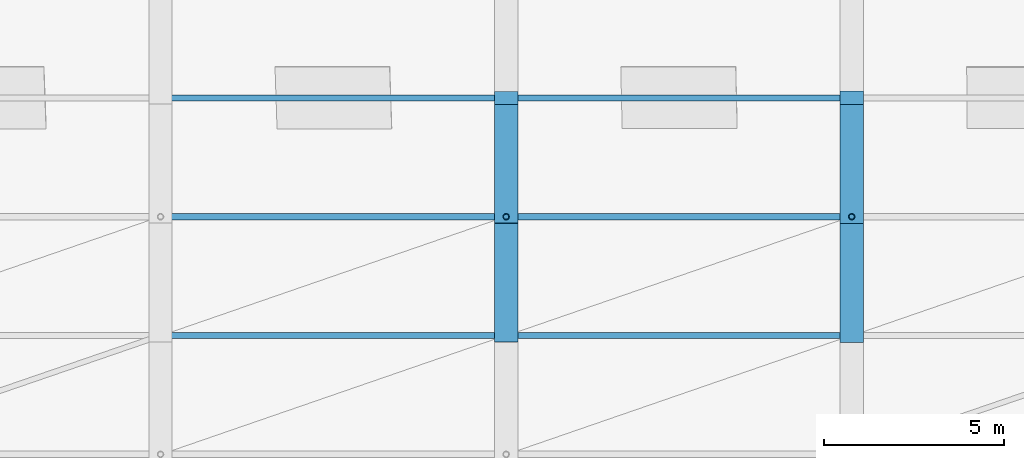
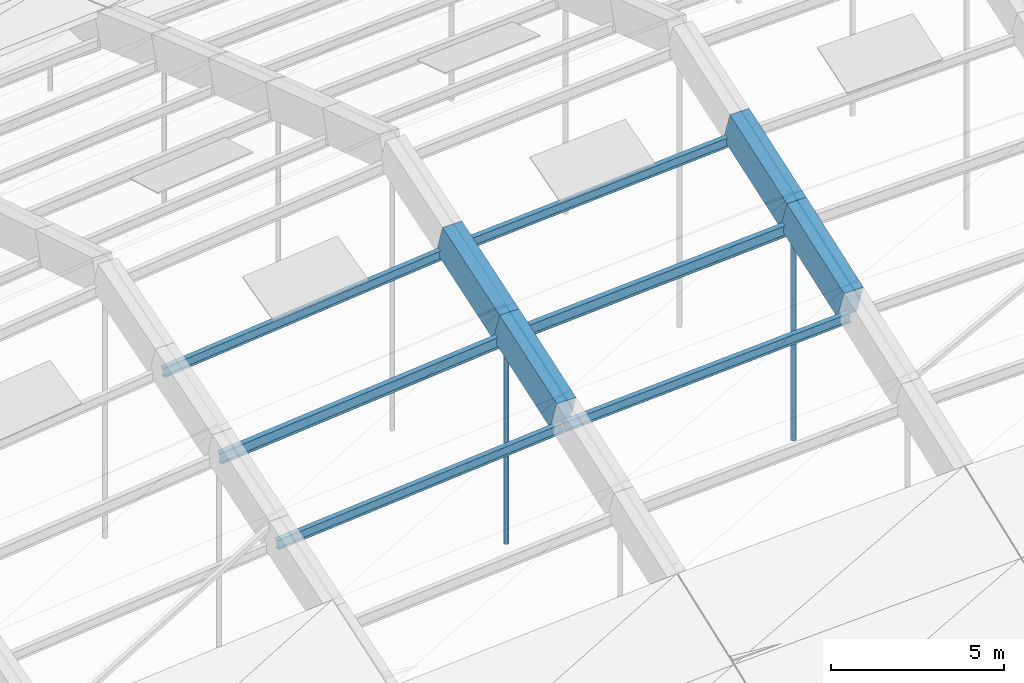
# One storey, part 7 of 43: 8 members, 4 beams.
"""IFC4 building model written with IfcOpenShell, lengths in metres."""

from ifc_helpers import new_model, si_unit, direction, frame, origin, origin_2d, place, context, subcontext, project, spatial, rectangle, hollow_circle, i_section, extrude, material, material_profile, profile_set, type_object, element, save


model = new_model("IFC4")

# Units and contexts
model_context = context("Model", 3, precision=1e-05, world=origin(), true_north=direction((0.0, 1.0)))
body_context = subcontext(model_context, "Body", "Model", "MODEL_VIEW")
ifc_project = project(units=[si_unit("LENGTHUNIT", "METRE"), si_unit("AREAUNIT", "SQUARE_METRE"), si_unit("VOLUMEUNIT", "CUBIC_METRE"), si_unit("PLANEANGLEUNIT", "RADIAN"), si_unit("MASSUNIT", "GRAM", prefix="KILO")], contexts=[model_context])

# Site, building, storey
site_placement = place(None, origin())
site = spatial("IfcSite", under=ifc_project, at=site_placement, CompositionType="ELEMENT")
building_placement = place(site_placement, origin())
building = spatial("IfcBuilding", under=site, at=building_placement, Name="Chalmorin Arch Market", CompositionType="ELEMENT")
storey_placement = place(building_placement, frame((0.0, 0.0, 18.60009765625)))
storey = spatial("IfcBuildingStorey", under=building, at=storey_placement, Name="RF", CompositionType="ELEMENT", Elevation=18.60009765625)

# Members
ifc_material_1 = material(Name="Steel A500 Grade C", Category="steel")
ifc_material_profile_1 = material_profile(ifc_material_1, hollow_circle(Radius=0.084228515625, WallThickness=0.007080078125, at=origin_2d()), Name="CHS168X7")
ifc_profile_set_1 = profile_set([ifc_material_profile_1], Name="Steel A500 Grade C")
member_type_1 = type_object("IfcMemberType", Name="ArchHangerTie-CHS168", PredefinedType="CHORD", material=ifc_profile_set_1)
member_1_placement = place(storey_placement, frame((67.199951171875, 25.800048828125, -2.845458984375), z_axis=(0.0, 0.0, 1.0), x_axis=(1.0, 0.0, 0.0)))
element("IfcMember", 1, at=member_1_placement, inside=storey, type_object=member_type_1, Name="HT-CH168-0144", PredefinedType="CHORD", context=body_context, shape_type="SweptSolid", body=[
    extrude(hollow_circle(Radius=0.084228515625, WallThickness=0.007080078125, at=origin_2d()), origin(), (0.0, 0.0, 1.0), 7.72802734375),
])
member_2_placement = place(storey_placement, frame((76.800048828125, 25.800048828125, -2.552978515625), z_axis=(0.0, 0.0, 1.0), x_axis=(1.0, 0.0, 0.0)))
element("IfcMember", 2, at=member_2_placement, inside=storey, type_object=member_type_1, Name="HT-CH168-0151", PredefinedType="CHORD", context=body_context, shape_type="SweptSolid", body=[
    extrude(hollow_circle(Radius=0.084228515625, WallThickness=0.007080078125, at=origin_2d()), origin(), (0.0, 0.0, 1.0), 8.019775390625),
])

# Beams
ifc_material_2 = material(Name="Concrete C50/60", Category="concrete")
ifc_material_profile_2 = material_profile(ifc_material_2, rectangle(XDim=0.64990234375, YDim=1.14990234375, at=origin_2d()), Name="RC650X1150")
ifc_profile_set_2 = profile_set([ifc_material_profile_2], Name="Concrete C50/60")
beam_type = type_object("IfcBeamType", Name="ArchRibChord-650x1150", PredefinedType="BEAM", material=ifc_profile_set_2)
beam_1_placement = place(storey_placement, frame((67.199951171875, 22.5, 3.75927734375), z_axis=(0.0, 0.946661270145, 0.322230413845), x_axis=(-1.0, 0.0, 0.0)))
element("IfcBeam", 3, at=beam_1_placement, inside=storey, type_object=beam_type, Name="AR-01-1628", PredefinedType="BEAM", context=body_context, shape_type="SweptSolid", body=[
    extrude(rectangle(XDim=0.64990234375, YDim=1.14990234375, at=origin_2d()), origin(), (0.0, 0.0, 1.0), 3.486083984375),
])
beam_2_placement = place(storey_placement, frame((67.199951171875, 25.800048828125, 4.882568359375), z_axis=(0.0, 0.949180689868, 0.314731660279), x_axis=(-1.0, 0.0, 0.0)))
element("IfcBeam", 4, at=beam_2_placement, inside=storey, type_object=beam_type, Name="AR-01-1629", PredefinedType="BEAM", context=body_context, shape_type="SweptSolid", body=[
    extrude(rectangle(XDim=0.64990234375, YDim=1.14990234375, at=origin_2d()), origin(), (0.0, 0.0, 1.0), 3.476806640625),
])
beam_3_placement = place(storey_placement, frame((76.800048828125, 22.5, 4.2978515625), z_axis=(0.0, 0.942611222356, 0.333892323196), x_axis=(-1.0, 0.0, 0.0)))
element("IfcBeam", 5, at=beam_3_placement, inside=storey, type_object=beam_type, Name="AR-01-1647", PredefinedType="BEAM", context=body_context, shape_type="SweptSolid", body=[
    extrude(rectangle(XDim=0.64990234375, YDim=1.14990234375, at=origin_2d()), origin(), (0.0, 0.0, 1.0), 3.5009765625),
])
beam_4_placement = place(storey_placement, frame((76.800048828125, 25.800048828125, 5.466796875), z_axis=(0.0, 0.945287483445, 0.326238522621), x_axis=(-1.0, 0.0, 0.0)))
element("IfcBeam", 6, at=beam_4_placement, inside=storey, type_object=beam_type, Name="AR-01-1648", PredefinedType="BEAM", context=body_context, shape_type="SweptSolid", body=[
    extrude(rectangle(XDim=0.64990234375, YDim=1.14990234375, at=origin_2d()), origin(), (0.0, 0.0, 1.0), 3.490966796875),
])

# Members
ifc_material_3 = material(Name="Steel A992 Grade 50", Category="steel")
ifc_material_profile_3 = material_profile(ifc_material_3, i_section(OverallWidth=0.1708984375, OverallDepth=0.35107421875, WebThickness=0.0068359375, FlangeThickness=0.009765625, FilletRadius=0.014892578125, at=origin_2d()), Name="W14X30")
ifc_profile_set_3 = profile_set([ifc_material_profile_3], Name="Steel A992 Grade 50")
member_type_2 = type_object("IfcMemberType", Name="RoofSteelPurlin-W14X30", PredefinedType="PURLIN", material=ifc_profile_set_3)
member_3_placement = place(storey_placement, frame((57.6201171875, 22.5, 2.47314453125), z_axis=(0.996463313136, 0.0, 0.084028956763), x_axis=(0.0, 1.0, 0.0)))
element("IfcMember", 7, at=member_3_placement, inside=storey, type_object=member_type_2, Name="PR-W14-0210", PredefinedType="PURLIN", context=body_context, shape_type="SweptSolid", body=[
    extrude(i_section(OverallWidth=0.1708984375, OverallDepth=0.35107421875, WebThickness=0.0068359375, FlangeThickness=0.009765625, FilletRadius=0.014892578125, at=origin_2d()), origin(), (0.0, 0.0, 1.0), 9.59375),
])
member_4_placement = place(storey_placement, frame((57.6201171875, 29.10009765625, 4.555908203125), z_axis=(0.995191239387, 0.0, 0.097950993094), x_axis=(0.0, 1.0, 0.0)))
element("IfcMember", 8, at=member_4_placement, inside=storey, type_object=member_type_2, Name="PR-W14-0212", PredefinedType="PURLIN", context=body_context, shape_type="SweptSolid", body=[
    extrude(i_section(OverallWidth=0.1708984375, OverallDepth=0.35107421875, WebThickness=0.0068359375, FlangeThickness=0.009765625, FilletRadius=0.014892578125, at=origin_2d()), origin(), (0.0, 0.0, 1.0), 9.60595703125),
])
member_5_placement = place(storey_placement, frame((67.219970703125, 22.5, 3.279296875), z_axis=(0.998416902121, 0.0, 0.056246684868), x_axis=(0.0, 1.0, 0.0)))
element("IfcMember", 9, at=member_5_placement, inside=storey, type_object=member_type_2, Name="PR-W14-0227", PredefinedType="PURLIN", context=body_context, shape_type="SweptSolid", body=[
    extrude(i_section(OverallWidth=0.1708984375, OverallDepth=0.35107421875, WebThickness=0.0068359375, FlangeThickness=0.009765625, FilletRadius=0.014892578125, at=origin_2d()), origin(), (0.0, 0.0, 1.0), 9.5751953125),
])
member_6_placement = place(storey_placement, frame((67.219970703125, 29.10009765625, 5.496826171875), z_axis=(0.997844848804, 0.0, 0.065617510743), x_axis=(0.0, 1.0, 0.0)))
element("IfcMember", 10, at=member_6_placement, inside=storey, type_object=member_type_2, Name="PR-W14-0229", PredefinedType="PURLIN", context=body_context, shape_type="SweptSolid", body=[
    extrude(i_section(OverallWidth=0.1708984375, OverallDepth=0.35107421875, WebThickness=0.0068359375, FlangeThickness=0.009765625, FilletRadius=0.014892578125, at=origin_2d()), origin(), (0.0, 0.0, 1.0), 9.580810546875),
])
ifc_material_profile_4 = material_profile(ifc_material_3, i_section(OverallWidth=0.178955078125, OverallDepth=0.409912109375, WebThickness=0.0087890625, FlangeThickness=0.014404296875, FilletRadius=0.01806640625, at=origin_2d()), Name="W16X45")
ifc_profile_set_4 = profile_set([ifc_material_profile_4], Name="Steel A992 Grade 50")
member_type_3 = type_object("IfcMemberType", Name="RoofSteelPurlin-W16X45", PredefinedType="PURLIN", material=ifc_profile_set_4)
member_7_placement = place(storey_placement, frame((57.6201171875, 25.800048828125, 3.5283203125), z_axis=(0.995844282338, 0.0, 0.091072308273), x_axis=(0.0, 1.0, 0.0)))
element("IfcMember", 11, at=member_7_placement, inside=storey, type_object=member_type_3, Name="PR-W16-0211", PredefinedType="PURLIN", context=body_context, shape_type="SweptSolid", body=[
    extrude(i_section(OverallWidth=0.178955078125, OverallDepth=0.409912109375, WebThickness=0.0087890625, FlangeThickness=0.014404296875, FilletRadius=0.01806640625, at=origin_2d()), origin(), (0.0, 0.0, 1.0), 9.599609375),
])
member_8_placement = place(storey_placement, frame((67.219970703125, 25.800048828125, 4.402587890625), z_axis=(0.998137912706, 0.0, 0.06099760011), x_axis=(0.0, 1.0, 0.0)))
element("IfcMember", 12, at=member_8_placement, inside=storey, type_object=member_type_3, Name="PR-W16-0228", PredefinedType="PURLIN", context=body_context, shape_type="SweptSolid", body=[
    extrude(i_section(OverallWidth=0.178955078125, OverallDepth=0.409912109375, WebThickness=0.0087890625, FlangeThickness=0.014404296875, FilletRadius=0.01806640625, at=origin_2d()), origin(), (0.0, 0.0, 1.0), 9.577880859375),
])

save(model, "model.ifc")
